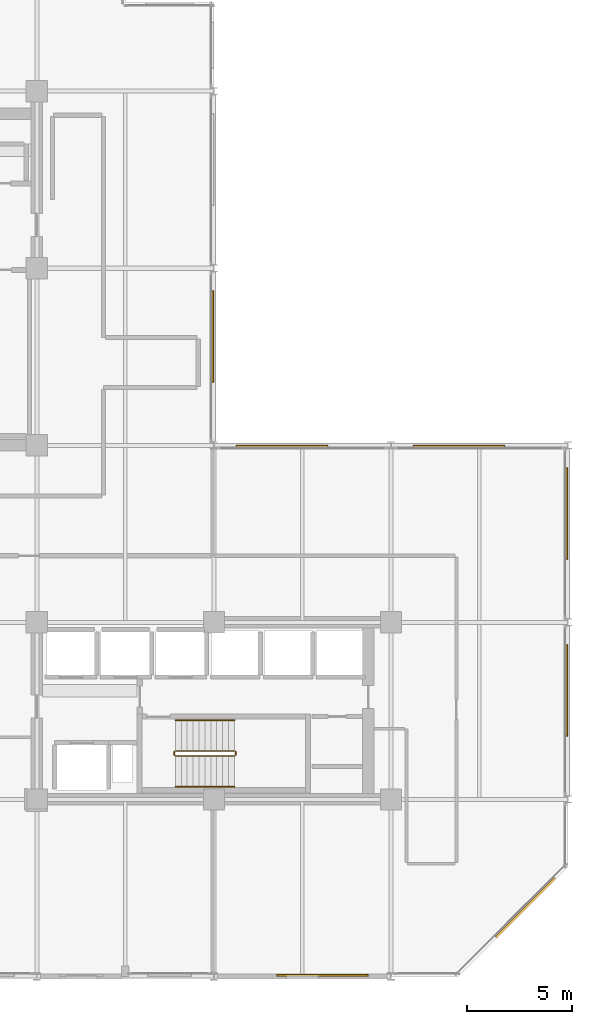
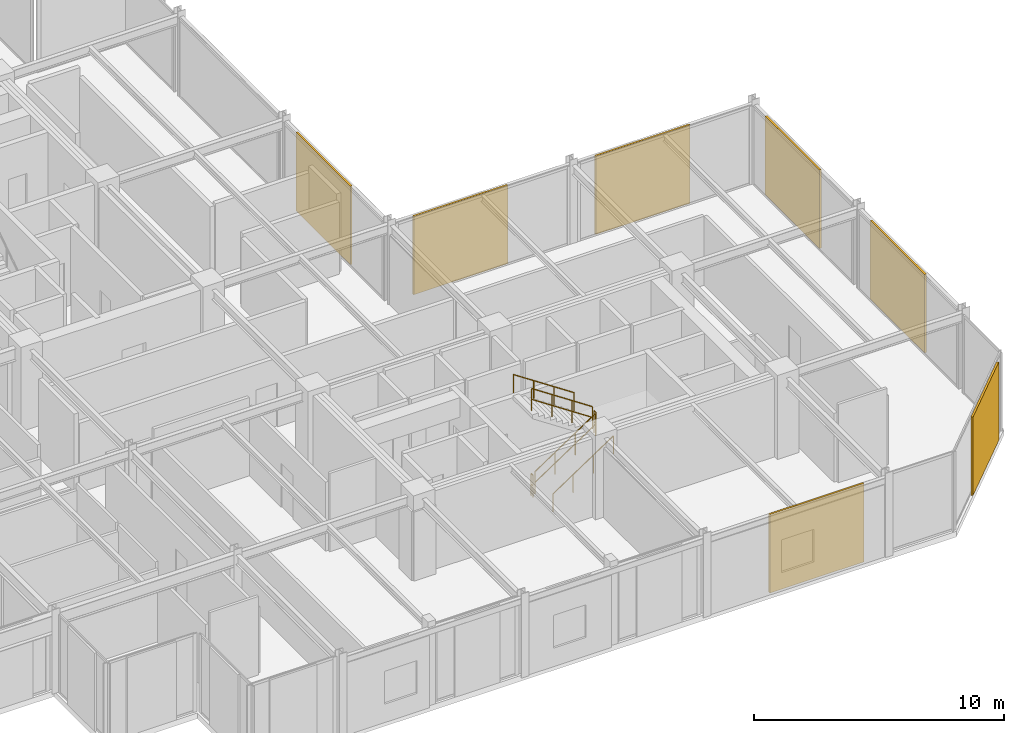
# One storey, part 28 of 29: 7 coverings, 6 railings.
"""IFC4 building model written with IfcOpenShell, lengths in metres."""

from ifc_helpers import new_model, si_unit, direction, frame, origin, origin_2d, place, context, subcontext, project, spatial, rectangle, circle, extrude, material, layer, layer_set, type_object, element, save


model = new_model("IFC4")

# Units and contexts
model_context = context("Model", 3, precision=1e-05, world=origin(), true_north=direction((0.0, 1.0)))
body_context = subcontext(model_context, "Body", "Model", "MODEL_VIEW")
ifc_project = project(units=[si_unit("LENGTHUNIT", "METRE"), si_unit("AREAUNIT", "SQUARE_METRE"), si_unit("VOLUMEUNIT", "CUBIC_METRE"), si_unit("PLANEANGLEUNIT", "RADIAN"), si_unit("MASSUNIT", "GRAM", prefix="KILO")], contexts=[model_context])

# Site, building, storey
site_placement = place(None, origin())
site = spatial("IfcSite", under=ifc_project, at=site_placement, CompositionType="ELEMENT")
building_placement = place(site_placement, origin())
building = spatial("IfcBuilding", under=site, at=building_placement, Name="Nerrivon Quay Data Exchange", CompositionType="ELEMENT")
storey_placement = place(building_placement, frame((0.0, 0.0, 183.699951171875)))
storey = spatial("IfcBuildingStorey", under=building, at=storey_placement, Name="L43", CompositionType="ELEMENT", Elevation=183.699951171875)

# Coverings
ifc_material_1 = material(Name="Architectural terracotta ceramic", Category="masonry")
ifc_layer = layer(ifc_material_1, 0.090087890625)
ifc_layer_set = layer_set([ifc_layer], Name="Architectural terracotta ceramic")
covering_type = type_object("IfcCoveringType", Name="COV-SCR-TERR", PredefinedType="CLADDING", material=ifc_layer_set)
for number, where, z_axis, x_axis, name in (
    (1, (25.155029296875, 30.365966796875, 0.0), (0.0, 0.0, 1.0), (0.0, -1.0, 0.0), "L43 Perforated Terracotta SOLAR SCREEN Cassette"),
    (2, (28.43408203125, 25.155029296875, 0.0), (0.0, 0.0, 1.0), (1.0, 0.0, 0.0), "L43 Perforated Terracotta SOLAR SCREEN Cassette"),
    (3, (36.833984375, 25.155029296875, 0.0), (0.0, 0.0, 1.0), (1.0, 0.0, 0.0), "L43 Perforated Terracotta SOLAR SCREEN Cassette"),
    (4, (41.955078125, 21.966064453125, 0.0), (0.0, 0.0, 1.0), (0.0, -1.0, 0.0), "L43 Perforated Terracotta SOLAR SCREEN Cassette"),
    (5, (41.955078125, 13.56591796875, 0.0), (0.0, 0.0, 1.0), (0.0, -1.0, 0.0), "L43 Perforated Terracotta SOLAR SCREEN Cassette"),
):
    element("IfcCovering", number, at=place(storey_placement, frame(where, z_axis=z_axis, x_axis=x_axis)), inside=storey, type_object=covering_type, Name=name, PredefinedType="CLADDING", context=body_context, shape_type="SweptSolid", body=[
        extrude(rectangle(XDim=4.346923828125, YDim=0.090087890625, at=origin_2d()), origin(), (0.0, 0.0, 1.0), 3.824951171875),
    ])
covering_1_placement = place(storey_placement, frame((39.9921875, 3.255859375, 0.0), z_axis=(0.0, 0.0, 1.0), x_axis=(-0.707106781187, -0.707106781187, 0.0)))
element("IfcCovering", 6, at=covering_1_placement, inside=storey, type_object=covering_type, Name="L43 Perforated Terracotta SOLAR SCREEN Cassette", PredefinedType="CLADDING", context=body_context, shape_type="SweptSolid", body=[
    extrude(rectangle(XDim=3.970947265625, YDim=0.090087890625, at=origin_2d()), origin(), (0.0, 0.0, 1.0), 3.824951171875),
])
covering_2_placement = place(storey_placement, frame((30.365966796875, 0.044921875, 0.0), z_axis=(0.0, 0.0, 1.0), x_axis=(-1.0, 0.0, 0.0)))
element("IfcCovering", 7, at=covering_2_placement, inside=storey, type_object=covering_type, Name="L43 Perforated Terracotta SOLAR SCREEN Cassette", PredefinedType="CLADDING", context=body_context, shape_type="SweptSolid", body=[
    extrude(rectangle(XDim=4.346923828125, YDim=0.090087890625, at=origin_2d()), origin(), (0.0, 0.0, 1.0), 3.824951171875),
])

# Railings
ifc_material_2 = material(Name="Steel Grade C350L0 (350 MPa)", Category="steel")
railing_type_1 = type_object("IfcRailingType", Name="RAIL-HAND-HR1", PredefinedType="HANDRAIL", material=ifc_material_2)
railing_1_placement = place(storey_placement, frame((23.3798828125, 9.0, 0.1865234375)))
element("IfcRailing", 8, at=railing_1_placement, inside=storey, type_object=railing_type_1, Name="L43 ST02 stair handrail 1", PredefinedType="HANDRAIL", context=body_context, shape_type="SweptSolid", body=[
    extrude(circle(Radius=0.02392578125, at=origin_2d()), frame((0.0, 0.0, 0.8759765625), z_axis=(0.832485552168, 0.0, 0.554046753832), x_axis=(0.0, 1.0, 0.0)), (0.0, 0.0, 1.0), 3.363525390625),
    extrude(circle(Radius=0.02099609375, at=origin_2d()), origin(), (0.0, 0.0, 1.0), 0.851806640625),
    extrude(circle(Radius=0.02099609375, at=origin_2d()), frame((0.933349609375, 0.0, 0.62109375)), (0.0, 0.0, 1.0), 0.851806640625),
    extrude(circle(Radius=0.02099609375, at=origin_2d()), frame((1.86669921875, 0.0, 1.242431640625)), (0.0, 0.0, 1.0), 0.851806640625),
    extrude(circle(Radius=0.02099609375, at=origin_2d()), frame((2.800048828125, 0.0, 1.863525390625)), (0.0, 0.0, 1.0), 0.851806640625),
])
railing_2_placement = place(storey_placement, frame((26.179931640625, 12.14990234375, 2.236328125)))
element("IfcRailing", 9, at=railing_2_placement, inside=storey, type_object=railing_type_1, Name="L43 ST02 stair handrail 2", PredefinedType="HANDRAIL", context=body_context, shape_type="SweptSolid", body=[
    extrude(circle(Radius=0.02392578125, at=origin_2d()), frame((0.0, 0.0, 0.8759765625), z_axis=(-0.832452072856, 0.0, 0.554097055034), x_axis=(0.0, -1.0, 0.0)), (0.0, 0.0, 1.0), 3.363525390625),
    extrude(circle(Radius=0.02099609375, at=origin_2d()), origin(), (0.0, 0.0, 1.0), 0.851806640625),
    extrude(circle(Radius=0.02099609375, at=origin_2d()), frame((-0.933349609375, 0.0, 0.621337890625)), (0.0, 0.0, 1.0), 0.851806640625),
    extrude(circle(Radius=0.02099609375, at=origin_2d()), frame((-1.86669921875, 0.0, 1.242431640625)), (0.0, 0.0, 1.0), 0.851806640625),
    extrude(circle(Radius=0.02099609375, at=origin_2d()), frame((-2.800048828125, 0.0, 1.86376953125)), (0.0, 0.0, 1.0), 0.851806640625),
])
railing_type_2 = type_object("IfcRailingType", Name="RAIL-STAIR-GR1", PredefinedType="BALUSTRADE", material=ifc_material_2)
railing_3_placement = place(storey_placement, frame((23.3798828125, 10.449951171875, 0.1865234375)))
element("IfcRailing", 10, at=railing_3_placement, inside=storey, type_object=railing_type_2, Name="L43 ST02 stair guard 1", PredefinedType="BALUSTRADE", context=body_context, shape_type="SweptSolid", body=[
    extrude(circle(Radius=0.02392578125, at=origin_2d()), frame((0.0, 0.0, 1.076171875), z_axis=(0.832485552168, 0.0, 0.554046753832), x_axis=(0.0, 1.0, 0.0)), (0.0, 0.0, 1.0), 3.363525390625),
    extrude(circle(Radius=0.02392578125, at=origin_2d()), frame((0.0, 0.0, 0.550048828125), z_axis=(0.832485552168, 0.0, 0.554046753832), x_axis=(0.0, 1.0, 0.0)), (0.0, 0.0, 1.0), 3.363525390625),
    extrude(circle(Radius=0.02099609375, at=origin_2d()), origin(), (0.0, 0.0, 1.0), 1.052001953125),
    extrude(circle(Radius=0.02099609375, at=origin_2d()), frame((0.933349609375, 0.0, 0.62109375)), (0.0, 0.0, 1.0), 1.052001953125),
    extrude(circle(Radius=0.02099609375, at=origin_2d()), frame((1.86669921875, 0.0, 1.242431640625)), (0.0, 0.0, 1.0), 1.052001953125),
    extrude(circle(Radius=0.02099609375, at=origin_2d()), frame((2.800048828125, 0.0, 1.863525390625)), (0.0, 0.0, 1.0), 1.052001953125),
])
railing_4_placement = place(storey_placement, frame((26.22998046875, 10.5, 2.050048828125)))
element("IfcRailing", 11, at=railing_4_placement, inside=storey, type_object=railing_type_2, Name="L43 ST02 stair guard 2", PredefinedType="BALUSTRADE", context=body_context, shape_type="SweptSolid", body=[
    extrude(circle(Radius=0.02392578125, at=origin_2d()), frame((0.0, 0.0, 1.076171875), z_axis=(0.0, 1.0, 0.0), x_axis=(-1.0, 0.0, 0.0)), (0.0, 0.0, 1.0), 0.14990234375),
    extrude(circle(Radius=0.02392578125, at=origin_2d()), frame((0.0, 0.0, 0.550048828125), z_axis=(0.0, 1.0, 0.0), x_axis=(-1.0, 0.0, 0.0)), (0.0, 0.0, 1.0), 0.14990234375),
    extrude(circle(Radius=0.02099609375, at=origin_2d()), origin(), (0.0, 0.0, 1.0), 1.052001953125),
    extrude(circle(Radius=0.02099609375, at=origin_2d()), frame((0.0, 0.14990234375, 0.0)), (0.0, 0.0, 1.0), 1.052001953125),
])
railing_5_placement = place(storey_placement, frame((26.179931640625, 10.699951171875, 2.236328125)))
element("IfcRailing", 12, at=railing_5_placement, inside=storey, type_object=railing_type_2, Name="L43 ST02 stair guard 3", PredefinedType="BALUSTRADE", context=body_context, shape_type="SweptSolid", body=[
    extrude(circle(Radius=0.02392578125, at=origin_2d()), frame((0.0, 0.0, 1.076171875), z_axis=(-0.832452072856, 0.0, 0.554097055034), x_axis=(0.0, -1.0, 0.0)), (0.0, 0.0, 1.0), 3.363525390625),
    extrude(circle(Radius=0.02392578125, at=origin_2d()), frame((0.0, 0.0, 0.550048828125), z_axis=(-0.832452072856, 0.0, 0.554097055034), x_axis=(0.0, -1.0, 0.0)), (0.0, 0.0, 1.0), 3.363525390625),
    extrude(circle(Radius=0.02099609375, at=origin_2d()), origin(), (0.0, 0.0, 1.0), 1.052001953125),
    extrude(circle(Radius=0.02099609375, at=origin_2d()), frame((-0.933349609375, 0.0, 0.621337890625)), (0.0, 0.0, 1.0), 1.052001953125),
    extrude(circle(Radius=0.02099609375, at=origin_2d()), frame((-1.86669921875, 0.0, 1.242431640625)), (0.0, 0.0, 1.0), 1.052001953125),
    extrude(circle(Radius=0.02099609375, at=origin_2d()), frame((-2.800048828125, 0.0, 1.86376953125)), (0.0, 0.0, 1.0), 1.052001953125),
])
railing_6_placement = place(storey_placement, frame((23.330078125, 10.5, 0.0)))
element("IfcRailing", 13, at=railing_6_placement, inside=storey, type_object=railing_type_2, Name="L43 ST02 stair guard 4", PredefinedType="BALUSTRADE", context=body_context, shape_type="SweptSolid", body=[
    extrude(circle(Radius=0.02392578125, at=origin_2d()), frame((0.0, 0.0, 1.076171875), z_axis=(0.0, 1.0, 0.0), x_axis=(-1.0, 0.0, 0.0)), (0.0, 0.0, 1.0), 0.14990234375),
    extrude(circle(Radius=0.02392578125, at=origin_2d()), frame((0.0, 0.0, 0.550048828125), z_axis=(0.0, 1.0, 0.0), x_axis=(-1.0, 0.0, 0.0)), (0.0, 0.0, 1.0), 0.14990234375),
    extrude(circle(Radius=0.02099609375, at=origin_2d()), origin(), (0.0, 0.0, 1.0), 1.052001953125),
    extrude(circle(Radius=0.02099609375, at=origin_2d()), frame((0.0, 0.14990234375, 0.0)), (0.0, 0.0, 1.0), 1.052001953125),
])

save(model, "model.ifc")
